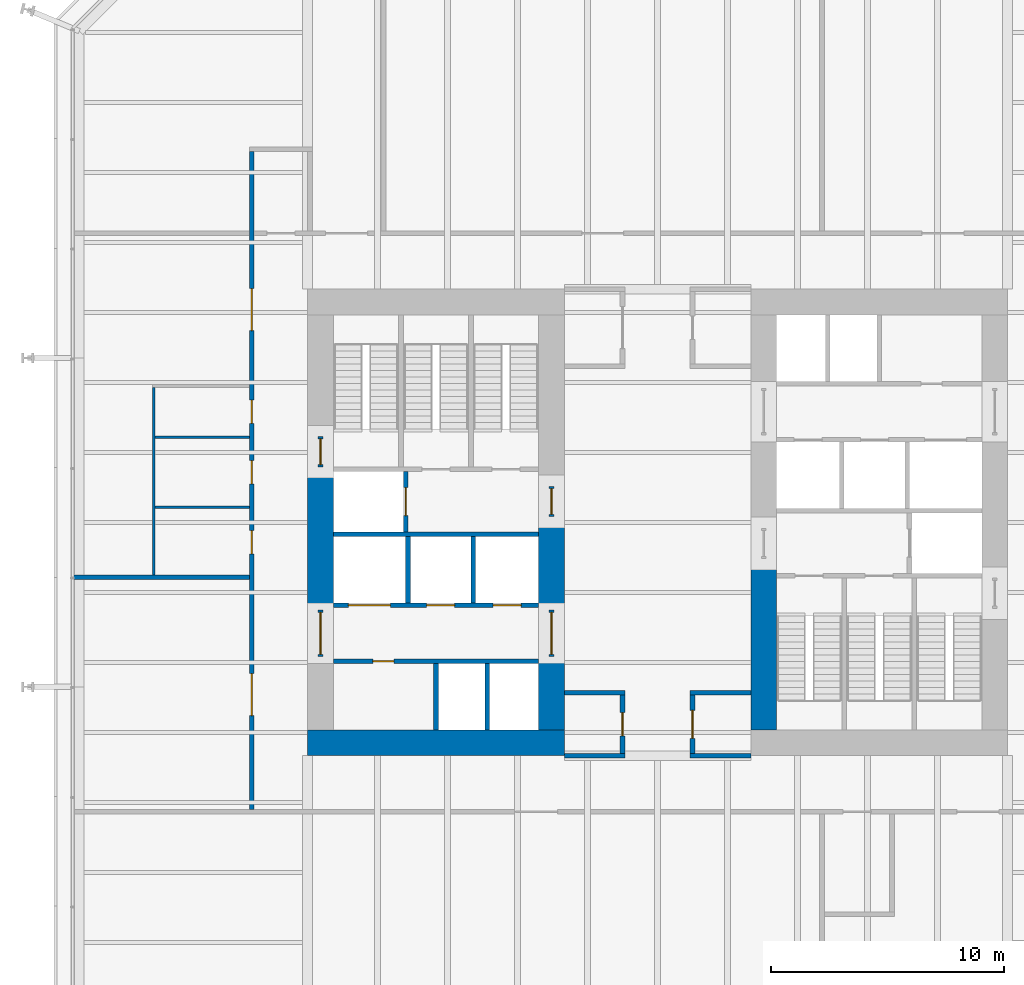
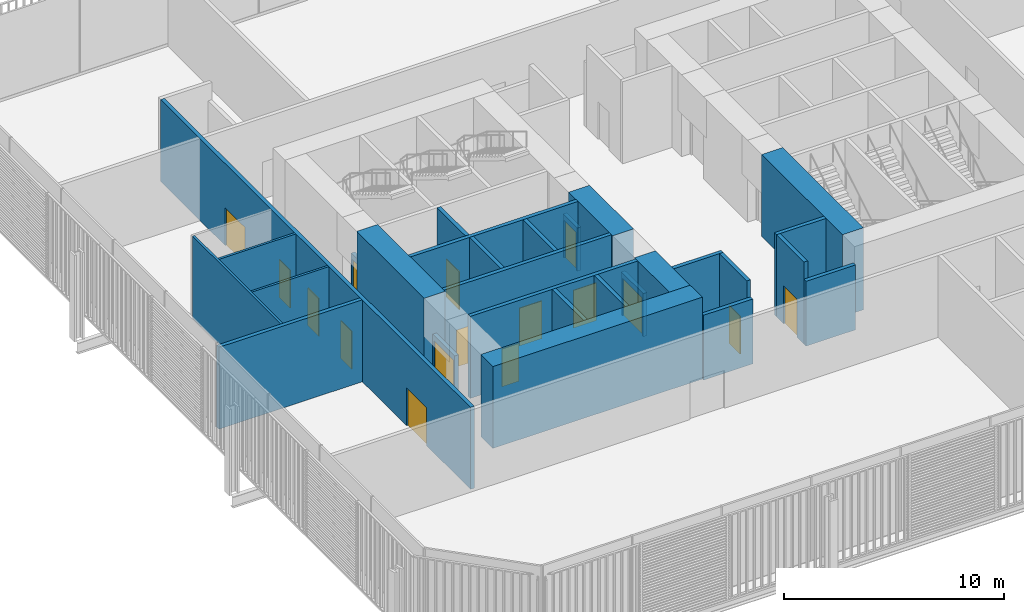
# One storey, part 18 of 22: 28 walls, 16 doors, 16 openings.
"""IFC4 building model written with IfcOpenShell, lengths in metres."""

from ifc_helpers import new_model, si_unit, direction, frame, frame_2d, origin, place, context, subcontext, project, spatial, rectangle, extrude, material, layer, layer_set, type_object, element, fill, save


model = new_model("IFC4")

# Units and contexts
model_context = context("Model", 3, precision=1e-05, world=origin(), true_north=direction((0.0, 1.0)))
body_context = subcontext(model_context, "Body", "Model", "MODEL_VIEW")
ifc_project = project(units=[si_unit("LENGTHUNIT", "METRE"), si_unit("AREAUNIT", "SQUARE_METRE"), si_unit("VOLUMEUNIT", "CUBIC_METRE"), si_unit("PLANEANGLEUNIT", "RADIAN"), si_unit("MASSUNIT", "GRAM", prefix="KILO")], contexts=[model_context])

# Site, building, storey
site_placement = place(None, origin())
site = spatial("IfcSite", under=ifc_project, at=site_placement, CompositionType="ELEMENT")
building_placement = place(site_placement, origin())
building = spatial("IfcBuilding", under=site, at=building_placement, Name="Millrace Tower", CompositionType="ELEMENT")
storey_placement = place(building_placement, frame((0.0, 0.0, 59.300048828125)))
storey = spatial("IfcBuildingStorey", under=building, at=storey_placement, Name="L13", CompositionType="ELEMENT", Elevation=59.300048828125)

# Walls
ifc_material_1 = material(Name="Concrete C80", Category="concrete")
ifc_layer_1 = layer(ifc_material_1, 1.10009765625)
ifc_layer_set_1 = layer_set([ifc_layer_1], Name="Concrete C80")
wall_type_1 = type_object("IfcWallType", Name="Core wall 1100 Concrete C80", PredefinedType="SHEAR", material=ifc_layer_set_1)
wall_1_placement = place(storey_placement, frame((-15.0, -9.449951171875, 0.0), z_axis=(0.0, 0.0, 1.0), x_axis=(1.0, 0.0, 0.0)))
element("IfcWall", 1, at=wall_1_placement, inside=storey, type_object=wall_type_1, Name="Core wall W L13", PredefinedType="SHEAR", context=body_context, shape_type="SweptSolid", body=[
    extrude(rectangle(XDim=11.0, YDim=1.10009765625, at=frame_2d((5.5, 0.0))), origin(), (0.0, 0.0, 1.0), 4.550048828125),
])
wall_2_placement = place(storey_placement, frame((-14.449951171875, -3.75, 0.0), z_axis=(0.0, 0.0, 1.0), x_axis=(0.0, 1.0, 0.0)))
element("IfcWall", 2, at=wall_2_placement, inside=storey, type_object=wall_type_1, Name="Core wall W L13", PredefinedType="SHEAR", context=body_context, shape_type="SweptSolid", body=[
    extrude(rectangle(XDim=6.1298828125, YDim=1.10009765625, at=frame_2d((3.06494140625, 0.0))), origin(), (0.0, 0.0, 1.0), 4.550048828125),
])
wall_3_placement = place(storey_placement, frame((-4.550048828125, -8.89990234375, 0.0), z_axis=(0.0, 0.0, 1.0), x_axis=(0.0, 1.0, 0.0)))
element("IfcWall", 3, at=wall_3_placement, inside=storey, type_object=wall_type_1, Name="Core wall W L13", PredefinedType="SHEAR", context=body_context, shape_type="SweptSolid", body=[
    extrude(rectangle(XDim=3.14990234375, YDim=1.10009765625, at=frame_2d((1.574951171875, 0.0))), origin(), (0.0, 0.0, 1.0), 4.550048828125),
])
wall_4_placement = place(storey_placement, frame((-4.550048828125, -3.75, 0.0), z_axis=(0.0, 0.0, 1.0), x_axis=(0.0, 1.0, 0.0)))
element("IfcWall", 4, at=wall_4_placement, inside=storey, type_object=wall_type_1, Name="Core wall W L13", PredefinedType="SHEAR", context=body_context, shape_type="SweptSolid", body=[
    extrude(rectangle(XDim=4.0, YDim=1.10009765625, at=frame_2d((2.0, 0.0))), origin(), (0.0, 0.0, 1.0), 4.550048828125),
])
wall_5_placement = place(storey_placement, frame((4.550048828125, -1.550048828125, 0.0), z_axis=(0.0, 0.0, 1.0), x_axis=(0.0, -1.0, 0.0)))
element("IfcWall", 5, at=wall_5_placement, inside=storey, type_object=wall_type_1, Name="Core wall E L13", PredefinedType="SHEAR", context=body_context, shape_type="SweptSolid", body=[
    extrude(rectangle(XDim=7.349853515625, YDim=1.10009765625, at=frame_2d((3.6748046875, 0.0))), origin(), (0.0, 0.0, 1.0), 4.550048828125),
])
ifc_material_2 = material(Name="Masonry partition, fire-rated", Category="masonry")
ifc_layer_2 = layer(ifc_material_2, 0.199951171875)
ifc_layer_set_2 = layer_set([ifc_layer_2], Name="Masonry partition, fire-rated")
wall_type_2 = type_object("IfcWallType", Name="Corridor wall 200", PredefinedType="PARTITIONING", material=ifc_layer_set_2)
for number, where, z_axis, x_axis, name in (
    (6, (-4.0, -10.0, 0.0), (0.0, 0.0, 1.0), (1.0, 0.0, 0.0), "Corridor wall L13"),
    (7, (1.39990234375, -10.0, 0.0), (0.0, 0.0, 1.0), (1.0, 0.0, 0.0), "Corridor wall L13"),
):
    element("IfcWall", number, at=place(storey_placement, frame(where, z_axis=z_axis, x_axis=x_axis)), inside=storey, type_object=wall_type_2, Name=name, PredefinedType="PARTITIONING", context=body_context, shape_type="SweptSolid", body=[
        extrude(rectangle(XDim=2.60009765625, YDim=0.199951171875, at=frame_2d((1.300048828125, 0.0))), origin(), (0.0, 0.0, 1.0), 3.6025390625),
    ])
for number, where, z_axis, x_axis, name in (
    (8, (-4.0, -7.300048828125, 0.0), (0.0, 0.0, 1.0), (1.0, 0.0, 0.0), "Corridor wall L13"),
    (9, (1.39990234375, -7.300048828125, 0.0), (0.0, 0.0, 1.0), (1.0, 0.0, 0.0), "Corridor wall L13"),
):
    element("IfcWall", number, at=place(storey_placement, frame(where, z_axis=z_axis, x_axis=x_axis)), inside=storey, type_object=wall_type_2, Name=name, PredefinedType="PARTITIONING", context=body_context, shape_type="SweptSolid", body=[
        extrude(rectangle(XDim=2.60009765625, YDim=0.199951171875, at=frame_2d((1.300048828125, 0.0))), origin(), (0.0, 0.0, 1.0), 4.550048828125),
    ])
wall_6_placement = place(storey_placement, frame((-25.030029296875, -2.35009765625, 0.0), z_axis=(0.0, 0.0, 1.0), x_axis=(1.0, 0.0, 0.0)))
element("IfcWall", 10, at=wall_6_placement, inside=storey, type_object=wall_type_2, Name="Corridor wall L13", PredefinedType="PARTITIONING", context=body_context, shape_type="SweptSolid", body=[
    extrude(rectangle(XDim=7.530029296875, YDim=0.199951171875, at=frame_2d((3.76513671875, 0.0))), origin(), (0.0, 0.0, 1.0), 4.550048828125),
])

# Wall, opening, door
wall_7_placement = place(storey_placement, frame((1.5, -9.89990234375, 0.0), z_axis=(0.0, 0.0, 1.0), x_axis=(0.0, 1.0, 0.0)))
wall_7 = element("IfcWall", 11, at=wall_7_placement, inside=storey, type_object=wall_type_2, Name="Corridor wall L13", PredefinedType="PARTITIONING", context=body_context, shape_type="SweptSolid", body=[
    extrude(rectangle(XDim=2.5, YDim=0.199951171875, at=frame_2d((1.25, 0.0))), origin(), (0.0, 0.0, 1.0), 4.550048828125),
])
opening_1_placement = place(wall_7_placement, frame((0.64990234375, 0.0, 0.0)))
opening_1 = element("IfcOpeningElement", 12, at=opening_1_placement, cuts=wall_7, Name="Opening 13-P004", PredefinedType="OPENING", context=body_context, shape_type="SweptSolid", body=[
    extrude(rectangle(XDim=1.199951171875, YDim=2.10009765625, at=frame_2d((0.60009765625, 1.050048828125))), frame((0.0, 0.10986328125, 0.0), z_axis=(0.0, -1.0, 0.0), x_axis=(1.0, 0.0, 0.0)), (0.0, 0.0, 1.0), 0.219970703125),
])
ifc_material_3 = material(Name="Steel door set, fire-rated", Category="steel")
door_type_1 = type_object("IfcDoorType", Name="Corridor door 1200 x 2100", OperationType="SINGLE_SWING_LEFT", PredefinedType="DOOR", material=ifc_material_3)
door_1_placement = place(opening_1_placement, frame((1.199951171875, 0.0, 0.0), z_axis=(0.0, 0.0, 1.0), x_axis=(-1.0, 0.0, 0.0)))
door_1 = element("IfcDoor", 13, at=door_1_placement, inside=storey, type_object=door_type_1, Name="Door 13-P004", OperationType="SINGLE_SWING_RIGHT", OverallHeight=2.10009765625, OverallWidth=1.199951171875, PredefinedType="DOOR", context=body_context, shape_type="SweptSolid", body=[
    extrude(rectangle(XDim=1.199951171875, YDim=2.10009765625, at=frame_2d((0.60009765625, 1.050048828125))), frame((0.0, 0.02490234375, 0.0), z_axis=(0.0, -1.0, 0.0), x_axis=(1.0, 0.0, 0.0)), (0.0, 0.0, 1.0), 0.050048828125),
])
fill(opening_1, door_1)

wall_8_placement = place(storey_placement, frame((-1.5, -9.89990234375, 0.0), z_axis=(0.0, 0.0, 1.0), x_axis=(0.0, 1.0, 0.0)))
wall_8 = element("IfcWall", 14, at=wall_8_placement, inside=storey, type_object=wall_type_2, Name="Corridor wall L13", PredefinedType="PARTITIONING", context=body_context, shape_type="SweptSolid", body=[
    extrude(rectangle(XDim=2.5, YDim=0.199951171875, at=frame_2d((1.25, 0.0))), origin(), (0.0, 0.0, 1.0), 4.550048828125),
])
opening_2_placement = place(wall_8_placement, frame((0.75, 0.0, 0.0)))
opening_2 = element("IfcOpeningElement", 15, at=opening_2_placement, cuts=wall_8, Name="Opening 13-P003", PredefinedType="OPENING", context=body_context, shape_type="SweptSolid", body=[
    extrude(rectangle(XDim=1.0, YDim=2.10009765625, at=frame_2d((0.5, 1.050048828125))), frame((0.0, 0.10986328125, 0.0), z_axis=(0.0, -1.0, 0.0), x_axis=(1.0, 0.0, 0.0)), (0.0, 0.0, 1.0), 0.219970703125),
])
ifc_material_4 = material(Name="Steel door set, fire-rated", Category="steel")
door_type_2 = type_object("IfcDoorType", Name="Corridor door 1000 x 2100", OperationType="SINGLE_SWING_LEFT", PredefinedType="DOOR", material=ifc_material_4)
door_2_placement = place(opening_2_placement, origin())
door_2 = element("IfcDoor", 16, at=door_2_placement, inside=storey, type_object=door_type_2, Name="Door 13-P003", OperationType="SINGLE_SWING_LEFT", OverallHeight=2.10009765625, OverallWidth=1.0, PredefinedType="DOOR", context=body_context, shape_type="SweptSolid", body=[
    extrude(rectangle(XDim=1.0, YDim=2.10009765625, at=frame_2d((0.5, 1.050048828125))), frame((0.0, 0.02490234375, 0.0), z_axis=(0.0, -1.0, 0.0), x_axis=(1.0, 0.0, 0.0)), (0.0, 0.0, 1.0), 0.050048828125),
])
fill(opening_2, door_2)

# Wall, openings, doors
wall_9_placement = place(storey_placement, frame((-17.39990234375, -12.300048828125, 0.0), z_axis=(0.0, 0.0, 1.0), x_axis=(0.0, 1.0, 0.0)))
wall_9 = element("IfcWall", 17, at=wall_9_placement, inside=storey, type_object=wall_type_2, Name="Corridor wall L13", PredefinedType="PARTITIONING", context=body_context, shape_type="SweptSolid", body=[
    extrude(rectangle(XDim=28.199951171875, YDim=0.199951171875, at=frame_2d((14.10009765625, 0.0))), origin(), (0.0, 0.0, 1.0), 4.550048828125),
])
opening_3_placement = place(wall_9_placement, frame((4.02490234375, 0.0, 0.0)))
opening_3 = element("IfcOpeningElement", 18, at=opening_3_placement, cuts=wall_9, Name="Opening 13-P015", PredefinedType="OPENING", context=body_context, shape_type="SweptSolid", body=[
    extrude(rectangle(XDim=1.800048828125, YDim=2.10009765625, at=frame_2d((0.89990234375, 1.050048828125))), frame((0.0, 0.10986328125, 0.0), z_axis=(0.0, -1.0, 0.0), x_axis=(1.0, 0.0, 0.0)), (0.0, 0.0, 1.0), 0.219970703125),
])
opening_4_placement = place(wall_9_placement, frame((20.52490234375, 0.0, 0.0)))
opening_4 = element("IfcOpeningElement", 19, at=opening_4_placement, cuts=wall_9, Name="Opening 13-P016", PredefinedType="OPENING", context=body_context, shape_type="SweptSolid", body=[
    extrude(rectangle(XDim=1.800048828125, YDim=2.10009765625, at=frame_2d((0.89990234375, 1.050048828125))), frame((0.0, 0.10986328125, 0.0), z_axis=(0.0, -1.0, 0.0), x_axis=(1.0, 0.0, 0.0)), (0.0, 0.0, 1.0), 0.219970703125),
])
opening_5_placement = place(wall_9_placement, frame((10.949951171875, 0.0, 0.0)))
opening_5 = element("IfcOpeningElement", 20, at=opening_5_placement, cuts=wall_9, Name="Opening 13-P017", PredefinedType="OPENING", context=body_context, shape_type="SweptSolid", body=[
    extrude(rectangle(XDim=1.0, YDim=2.10009765625, at=frame_2d((0.5, 1.050048828125))), frame((0.0, 0.10986328125, 0.0), z_axis=(0.0, -1.0, 0.0), x_axis=(1.0, 0.0, 0.0)), (0.0, 0.0, 1.0), 0.219970703125),
])
opening_6_placement = place(wall_9_placement, frame((13.949951171875, 0.0, 0.0)))
opening_6 = element("IfcOpeningElement", 21, at=opening_6_placement, cuts=wall_9, Name="Opening 13-P018", PredefinedType="OPENING", context=body_context, shape_type="SweptSolid", body=[
    extrude(rectangle(XDim=1.0, YDim=2.10009765625, at=frame_2d((0.5, 1.050048828125))), frame((0.0, 0.10986328125, 0.0), z_axis=(0.0, -1.0, 0.0), x_axis=(1.0, 0.0, 0.0)), (0.0, 0.0, 1.0), 0.219970703125),
])
opening_7_placement = place(wall_9_placement, frame((16.550048828125, 0.0, 0.0)))
opening_7 = element("IfcOpeningElement", 22, at=opening_7_placement, cuts=wall_9, Name="Opening 13-P019", PredefinedType="OPENING", context=body_context, shape_type="SweptSolid", body=[
    extrude(rectangle(XDim=1.0, YDim=2.10009765625, at=frame_2d((0.5, 1.050048828125))), frame((0.0, 0.10986328125, 0.0), z_axis=(0.0, -1.0, 0.0), x_axis=(1.0, 0.0, 0.0)), (0.0, 0.0, 1.0), 0.219970703125),
])
door_3_placement = place(opening_5_placement, origin())
door_3 = element("IfcDoor", 23, at=door_3_placement, inside=storey, type_object=door_type_2, Name="Door 13-P017", OperationType="SINGLE_SWING_LEFT", OverallHeight=2.10009765625, OverallWidth=1.0, PredefinedType="DOOR", context=body_context, shape_type="SweptSolid", body=[
    extrude(rectangle(XDim=1.0, YDim=2.10009765625, at=frame_2d((0.5, 1.050048828125))), frame((0.0, 0.02490234375, 0.0), z_axis=(0.0, -1.0, 0.0), x_axis=(1.0, 0.0, 0.0)), (0.0, 0.0, 1.0), 0.050048828125),
])
fill(opening_5, door_3)
door_4_placement = place(opening_6_placement, origin())
door_4 = element("IfcDoor", 24, at=door_4_placement, inside=storey, type_object=door_type_2, Name="Door 13-P018", OperationType="SINGLE_SWING_RIGHT", OverallHeight=2.10009765625, OverallWidth=1.0, PredefinedType="DOOR", context=body_context, shape_type="SweptSolid", body=[
    extrude(rectangle(XDim=1.0, YDim=2.10009765625, at=frame_2d((0.5, 1.050048828125))), frame((0.0, 0.02490234375, 0.0), z_axis=(0.0, -1.0, 0.0), x_axis=(1.0, 0.0, 0.0)), (0.0, 0.0, 1.0), 0.050048828125),
])
fill(opening_6, door_4)
door_5_placement = place(opening_7_placement, origin())
door_5 = element("IfcDoor", 25, at=door_5_placement, inside=storey, type_object=door_type_2, Name="Door 13-P019", OperationType="SINGLE_SWING_RIGHT", OverallHeight=2.10009765625, OverallWidth=1.0, PredefinedType="DOOR", context=body_context, shape_type="SweptSolid", body=[
    extrude(rectangle(XDim=1.0, YDim=2.10009765625, at=frame_2d((0.5, 1.050048828125))), frame((0.0, 0.02490234375, 0.0), z_axis=(0.0, -1.0, 0.0), x_axis=(1.0, 0.0, 0.0)), (0.0, 0.0, 1.0), 0.050048828125),
])
fill(opening_7, door_5)
ifc_material_5 = material(Name="Steel door set, fire-rated", Category="steel")
door_type_3 = type_object("IfcDoorType", Name="Corridor door 1800 x 2100", OperationType="DOUBLE_DOOR_SINGLE_SWING", PredefinedType="DOOR", material=ifc_material_5)
door_6_placement = place(opening_4_placement, origin())
door_6 = element("IfcDoor", 26, at=door_6_placement, inside=storey, type_object=door_type_3, Name="Door 13-P016", OperationType="DOUBLE_DOOR_SINGLE_SWING", OverallHeight=2.10009765625, OverallWidth=1.800048828125, PredefinedType="DOOR", context=body_context, shape_type="SweptSolid", body=[
    extrude(rectangle(XDim=1.800048828125, YDim=2.10009765625, at=frame_2d((0.89990234375, 1.050048828125))), frame((0.0, 0.02490234375, 0.0), z_axis=(0.0, -1.0, 0.0), x_axis=(1.0, 0.0, 0.0)), (0.0, 0.0, 1.0), 0.050048828125),
])
fill(opening_4, door_6)
ifc_material_6 = material(Name="Steel door set, fire-rated", Category="steel")
door_type_4 = type_object("IfcDoorType", Name="Data hall door 1800 x 2100", OperationType="DOUBLE_DOOR_SINGLE_SWING", PredefinedType="DOOR", material=ifc_material_6)
door_7_placement = place(opening_3_placement, origin())
door_7 = element("IfcDoor", 27, at=door_7_placement, inside=storey, type_object=door_type_4, Name="Door 13-P015", OperationType="DOUBLE_DOOR_SINGLE_SWING", OverallHeight=2.10009765625, OverallWidth=1.800048828125, PredefinedType="DOOR", context=body_context, shape_type="SweptSolid", body=[
    extrude(rectangle(XDim=1.800048828125, YDim=2.10009765625, at=frame_2d((0.89990234375, 1.050048828125))), frame((0.0, 0.02490234375, 0.0), z_axis=(0.0, -1.0, 0.0), x_axis=(1.0, 0.0, 0.0)), (0.0, 0.0, 1.0), 0.050048828125),
])
fill(opening_3, door_7)

# Wall, opening, door
ifc_material_7 = material(Name="Masonry partition, fire-rated", Category="masonry")
ifc_layer_3 = layer(ifc_material_7, 0.199951171875)
ifc_layer_set_3 = layer_set([ifc_layer_3], Name="Masonry partition, fire-rated")
wall_type_3 = type_object("IfcWallType", Name="Lift shaft wall 200", PredefinedType="PARTITIONING", material=ifc_layer_set_3)
wall_10_placement = place(storey_placement, frame((-13.89990234375, -5.949951171875, 0.0), z_axis=(0.0, 0.0, 1.0), x_axis=(1.0, 0.0, 0.0)))
wall_10 = element("IfcWall", 28, at=wall_10_placement, inside=storey, type_object=wall_type_3, Name="Lift shaft wall W L13", PredefinedType="PARTITIONING", context=body_context, shape_type="SweptSolid", body=[
    extrude(rectangle(XDim=8.7998046875, YDim=0.199951171875, at=frame_2d((4.39990234375, 0.0))), origin(), (0.0, 0.0, 1.0), 4.550048828125),
])
opening_8_placement = place(wall_10_placement, frame((1.699951171875, 0.0, 0.0)))
opening_8 = element("IfcOpeningElement", 29, at=opening_8_placement, cuts=wall_10, Name="Opening 13-C005", PredefinedType="OPENING", context=body_context, shape_type="SweptSolid", body=[
    extrude(rectangle(XDim=0.89990234375, YDim=2.10009765625, at=frame_2d((0.449951171875, 1.050048828125))), frame((0.0, 0.10986328125, 0.0), z_axis=(0.0, -1.0, 0.0), x_axis=(1.0, 0.0, 0.0)), (0.0, 0.0, 1.0), 0.219970703125),
])
ifc_material_8 = material(Name="Steel door, fire-rated", Category="steel")
door_type_5 = type_object("IfcDoorType", Name="Service room door 900 x 2100", OperationType="SINGLE_SWING_LEFT", PredefinedType="DOOR", material=ifc_material_8)
door_8_placement = place(opening_8_placement, frame((0.89990234375, 0.0, 0.0), z_axis=(0.0, 0.0, 1.0), x_axis=(-1.0, 0.0, 0.0)))
door_8 = element("IfcDoor", 30, at=door_8_placement, inside=storey, type_object=door_type_5, Name="Service room door 13-C005", OperationType="SINGLE_SWING_RIGHT", OverallHeight=2.10009765625, OverallWidth=0.89990234375, PredefinedType="DOOR", context=body_context, shape_type="SweptSolid", body=[
    extrude(rectangle(XDim=0.89990234375, YDim=2.10009765625, at=frame_2d((0.449951171875, 1.050048828125))), frame((0.0, 0.02490234375, 0.0), z_axis=(0.0, -1.0, 0.0), x_axis=(1.0, 0.0, 0.0)), (0.0, 0.0, 1.0), 0.050048828125),
])
fill(opening_8, door_8)

# Wall, openings, doors
wall_11_placement = place(storey_placement, frame((-13.89990234375, -3.550048828125, 0.0), z_axis=(0.0, 0.0, 1.0), x_axis=(1.0, 0.0, 0.0)))
wall_11 = element("IfcWall", 31, at=wall_11_placement, inside=storey, type_object=wall_type_3, Name="Lift shaft wall W L13", PredefinedType="PARTITIONING", context=body_context, shape_type="SweptSolid", body=[
    extrude(rectangle(XDim=8.7998046875, YDim=0.199951171875, at=frame_2d((4.39990234375, 0.0))), origin(), (0.0, 0.0, 1.0), 4.550048828125),
])
opening_9_placement = place(wall_11_placement, frame((0.64990234375, 0.0, 0.0)))
opening_9 = element("IfcOpeningElement", 32, at=opening_9_placement, cuts=wall_11, Name="Opening 13-LD05", PredefinedType="OPENING", context=body_context, shape_type="SweptSolid", body=[
    extrude(rectangle(XDim=1.800048828125, YDim=2.10009765625, at=frame_2d((0.89990234375, 1.050048828125))), frame((0.0, 0.10986328125, 0.0), z_axis=(0.0, -1.0, 0.0), x_axis=(1.0, 0.0, 0.0)), (0.0, 0.0, 1.0), 0.219970703125),
])
opening_10_placement = place(wall_11_placement, frame((4.0, 0.0, 0.0)))
opening_10 = element("IfcOpeningElement", 33, at=opening_10_placement, cuts=wall_11, Name="Opening 13-LD06", PredefinedType="OPENING", context=body_context, shape_type="SweptSolid", body=[
    extrude(rectangle(XDim=1.199951171875, YDim=2.10009765625, at=frame_2d((0.60009765625, 1.050048828125))), frame((0.0, 0.10986328125, 0.0), z_axis=(0.0, -1.0, 0.0), x_axis=(1.0, 0.0, 0.0)), (0.0, 0.0, 1.0), 0.219970703125),
])
opening_11_placement = place(wall_11_placement, frame((6.85009765625, 0.0, 0.0)))
opening_11 = element("IfcOpeningElement", 34, at=opening_11_placement, cuts=wall_11, Name="Opening 13-LD07", PredefinedType="OPENING", context=body_context, shape_type="SweptSolid", body=[
    extrude(rectangle(XDim=1.199951171875, YDim=2.10009765625, at=frame_2d((0.60009765625, 1.050048828125))), frame((0.0, 0.10986328125, 0.0), z_axis=(0.0, -1.0, 0.0), x_axis=(1.0, 0.0, 0.0)), (0.0, 0.0, 1.0), 0.219970703125),
])
ifc_material_9 = material(Name="Stainless steel, fire-rated", Category="steel")
door_type_6 = type_object("IfcDoorType", Name="Lift landing door 1200 x 2100", OperationType="DOUBLE_DOOR_SLIDING", PredefinedType="DOOR", material=ifc_material_9)
door_9_placement = place(opening_10_placement, origin())
door_9 = element("IfcDoor", 35, at=door_9_placement, inside=storey, type_object=door_type_6, Name="Lift landing door LF6 L13", OperationType="DOUBLE_DOOR_SLIDING", OverallHeight=2.10009765625, OverallWidth=1.199951171875, PredefinedType="DOOR", context=body_context, shape_type="SweptSolid", body=[
    extrude(rectangle(XDim=1.199951171875, YDim=2.10009765625, at=frame_2d((0.60009765625, 1.050048828125))), frame((0.0, 0.02490234375, 0.0), z_axis=(0.0, -1.0, 0.0), x_axis=(1.0, 0.0, 0.0)), (0.0, 0.0, 1.0), 0.050048828125),
])
fill(opening_10, door_9)
door_10_placement = place(opening_11_placement, origin())
door_10 = element("IfcDoor", 36, at=door_10_placement, inside=storey, type_object=door_type_6, Name="Lift landing door LF7 L13", OperationType="DOUBLE_DOOR_SLIDING", OverallHeight=2.10009765625, OverallWidth=1.199951171875, PredefinedType="DOOR", context=body_context, shape_type="SweptSolid", body=[
    extrude(rectangle(XDim=1.199951171875, YDim=2.10009765625, at=frame_2d((0.60009765625, 1.050048828125))), frame((0.0, 0.02490234375, 0.0), z_axis=(0.0, -1.0, 0.0), x_axis=(1.0, 0.0, 0.0)), (0.0, 0.0, 1.0), 0.050048828125),
])
fill(opening_11, door_10)
ifc_material_10 = material(Name="Stainless steel, fire-rated", Category="steel")
door_type_7 = type_object("IfcDoorType", Name="Lift landing door 1800 x 2100", OperationType="DOUBLE_DOOR_SLIDING", PredefinedType="DOOR", material=ifc_material_10)
door_11_placement = place(opening_9_placement, origin())
door_11 = element("IfcDoor", 37, at=door_11_placement, inside=storey, type_object=door_type_7, Name="Lift landing door LF5 L13", OperationType="DOUBLE_DOOR_SLIDING", OverallHeight=2.10009765625, OverallWidth=1.800048828125, PredefinedType="DOOR", context=body_context, shape_type="SweptSolid", body=[
    extrude(rectangle(XDim=1.800048828125, YDim=2.10009765625, at=frame_2d((0.89990234375, 1.050048828125))), frame((0.0, 0.02490234375, 0.0), z_axis=(0.0, -1.0, 0.0), x_axis=(1.0, 0.0, 0.0)), (0.0, 0.0, 1.0), 0.050048828125),
])
fill(opening_9, door_11)

# Wall
wall_12_placement = place(storey_placement, frame((-13.89990234375, -0.5, 0.0), z_axis=(0.0, 0.0, 1.0), x_axis=(1.0, 0.0, 0.0)))
element("IfcWall", 38, at=wall_12_placement, inside=storey, type_object=wall_type_3, Name="Lift shaft wall W L13", PredefinedType="PARTITIONING", context=body_context, shape_type="SweptSolid", body=[
    extrude(rectangle(XDim=8.7998046875, YDim=0.199951171875, at=frame_2d((4.39990234375, 0.0))), origin(), (0.0, 0.0, 1.0), 4.550048828125),
])

# Wall, opening, door
wall_13_placement = place(storey_placement, frame((-10.800048828125, -0.39990234375, 0.0), z_axis=(0.0, 0.0, 1.0), x_axis=(0.0, 1.0, 0.0)))
wall_13 = element("IfcWall", 39, at=wall_13_placement, inside=storey, type_object=wall_type_3, Name="Lift shaft wall W L13", PredefinedType="PARTITIONING", context=body_context, shape_type="SweptSolid", body=[
    extrude(rectangle(XDim=2.579833984375, YDim=0.199951171875, at=frame_2d((1.2900390625, 0.0))), origin(), (0.0, 0.0, 1.0), 4.550048828125),
])
opening_12_placement = place(wall_13_placement, frame((0.68994140625, 0.0, 0.0)))
opening_12 = element("IfcOpeningElement", 40, at=opening_12_placement, cuts=wall_13, Name="Opening 13-LD08", PredefinedType="OPENING", context=body_context, shape_type="SweptSolid", body=[
    extrude(rectangle(XDim=1.199951171875, YDim=2.10009765625, at=frame_2d((0.60009765625, 1.050048828125))), frame((0.0, 0.10986328125, 0.0), z_axis=(0.0, -1.0, 0.0), x_axis=(1.0, 0.0, 0.0)), (0.0, 0.0, 1.0), 0.219970703125),
])
door_12_placement = place(opening_12_placement, origin())
door_12 = element("IfcDoor", 41, at=door_12_placement, inside=storey, type_object=door_type_6, Name="Lift landing door LF8 L13", OperationType="DOUBLE_DOOR_SLIDING", OverallHeight=2.10009765625, OverallWidth=1.199951171875, PredefinedType="DOOR", context=body_context, shape_type="SweptSolid", body=[
    extrude(rectangle(XDim=1.199951171875, YDim=2.10009765625, at=frame_2d((0.60009765625, 1.050048828125))), frame((0.0, 0.02490234375, 0.0), z_axis=(0.0, -1.0, 0.0), x_axis=(1.0, 0.0, 0.0)), (0.0, 0.0, 1.0), 0.050048828125),
])
fill(opening_12, door_12)

# Walls
for number, where, z_axis, x_axis, name in (
    (42, (-9.5, -8.89990234375, 0.0), (0.0, 0.0, 1.0), (0.0, 1.0, 0.0), "Lift shaft wall W L13"),
    (43, (-7.300048828125, -8.89990234375, 0.0), (0.0, 0.0, 1.0), (0.0, 1.0, 0.0), "Lift shaft wall W L13"),
    (44, (-10.699951171875, -3.449951171875, 0.0), (0.0, 0.0, 1.0), (0.0, 1.0, 0.0), "Lift shaft wall W L13"),
    (45, (-7.89990234375, -3.449951171875, 0.0), (0.0, 0.0, 1.0), (0.0, 1.0, 0.0), "Lift shaft wall W L13"),
):
    element("IfcWall", number, at=place(storey_placement, frame(where, z_axis=z_axis, x_axis=x_axis)), inside=storey, type_object=wall_type_3, Name=name, PredefinedType="PARTITIONING", context=body_context, shape_type="SweptSolid", body=[
        extrude(rectangle(XDim=2.849853515625, YDim=0.199951171875, at=frame_2d((1.4248046875, 0.0))), origin(), (0.0, 0.0, 1.0), 4.550048828125),
    ])

# Wall, opening, door
ifc_material_11 = material(Name="Masonry partition, fire-rated", Category="masonry")
ifc_layer_4 = layer(ifc_material_11, 0.199951171875)
ifc_layer_set_4 = layer_set([ifc_layer_4], Name="Masonry partition, fire-rated")
wall_type_4 = type_object("IfcWallType", Name="Lobby wall 200", PredefinedType="PARTITIONING", material=ifc_layer_set_4)
wall_14_placement = place(storey_placement, frame((-14.449951171875, -5.75, 0.0), z_axis=(0.0, 0.0, 1.0), x_axis=(0.0, 1.0, 0.0)))
wall_14 = element("IfcWall", 46, at=wall_14_placement, inside=storey, type_object=wall_type_4, Name="Lobby wall W L13", PredefinedType="PARTITIONING", context=body_context, shape_type="SweptSolid", body=[
    extrude(rectangle(XDim=2.0, YDim=0.199951171875, at=frame_2d((1.0, 0.0))), origin(), (0.0, 0.0, 1.0), 2.39990234375),
])
opening_13_placement = place(wall_14_placement, frame((0.10009765625, 0.0, 0.0)))
opening_13 = element("IfcOpeningElement", 47, at=opening_13_placement, cuts=wall_14, Name="Opening 13-C001", PredefinedType="OPENING", context=body_context, shape_type="SweptSolid", body=[
    extrude(rectangle(XDim=1.800048828125, YDim=2.10009765625, at=frame_2d((0.89990234375, 1.050048828125))), frame((0.0, 0.10986328125, 0.0), z_axis=(0.0, -1.0, 0.0), x_axis=(1.0, 0.0, 0.0)), (0.0, 0.0, 1.0), 0.219970703125),
])
ifc_material_12 = material(Name="Steel door, fire-rated", Category="steel")
door_type_8 = type_object("IfcDoorType", Name="Lobby door 1800 x 2100", OperationType="DOUBLE_DOOR_SINGLE_SWING", PredefinedType="DOOR", material=ifc_material_12)
door_13_placement = place(opening_13_placement, origin())
door_13 = element("IfcDoor", 48, at=door_13_placement, inside=storey, type_object=door_type_8, Name="Lobby door 13-C001", OperationType="DOUBLE_DOOR_SINGLE_SWING", OverallHeight=2.10009765625, OverallWidth=1.800048828125, PredefinedType="DOOR", context=body_context, shape_type="SweptSolid", body=[
    extrude(rectangle(XDim=1.800048828125, YDim=2.10009765625, at=frame_2d((0.89990234375, 1.050048828125))), frame((0.0, 0.02490234375, 0.0), z_axis=(0.0, -1.0, 0.0), x_axis=(1.0, 0.0, 0.0)), (0.0, 0.0, 1.0), 0.050048828125),
])
fill(opening_13, door_13)

wall_15_placement = place(storey_placement, frame((-4.550048828125, -5.75, 0.0), z_axis=(0.0, 0.0, 1.0), x_axis=(0.0, 1.0, 0.0)))
wall_15 = element("IfcWall", 49, at=wall_15_placement, inside=storey, type_object=wall_type_4, Name="Lobby wall W L13", PredefinedType="PARTITIONING", context=body_context, shape_type="SweptSolid", body=[
    extrude(rectangle(XDim=2.0, YDim=0.199951171875, at=frame_2d((1.0, 0.0))), origin(), (0.0, 0.0, 1.0), 2.39990234375),
])
opening_14_placement = place(wall_15_placement, frame((0.10009765625, 0.0, 0.0)))
opening_14 = element("IfcOpeningElement", 50, at=opening_14_placement, cuts=wall_15, Name="Opening 13-C003", PredefinedType="OPENING", context=body_context, shape_type="SweptSolid", body=[
    extrude(rectangle(XDim=1.800048828125, YDim=2.10009765625, at=frame_2d((0.89990234375, 1.050048828125))), frame((0.0, 0.10986328125, 0.0), z_axis=(0.0, -1.0, 0.0), x_axis=(1.0, 0.0, 0.0)), (0.0, 0.0, 1.0), 0.219970703125),
])
door_14_placement = place(opening_14_placement, origin())
door_14 = element("IfcDoor", 51, at=door_14_placement, inside=storey, type_object=door_type_8, Name="Lobby door 13-C003", OperationType="DOUBLE_DOOR_SINGLE_SWING", OverallHeight=2.10009765625, OverallWidth=1.800048828125, PredefinedType="DOOR", context=body_context, shape_type="SweptSolid", body=[
    extrude(rectangle(XDim=1.800048828125, YDim=2.10009765625, at=frame_2d((0.89990234375, 1.050048828125))), frame((0.0, 0.02490234375, 0.0), z_axis=(0.0, -1.0, 0.0), x_axis=(1.0, 0.0, 0.0)), (0.0, 0.0, 1.0), 0.050048828125),
])
fill(opening_14, door_14)

wall_16_placement = place(storey_placement, frame((-4.550048828125, 0.25, 0.0), z_axis=(0.0, 0.0, 1.0), x_axis=(0.0, 1.0, 0.0)))
wall_16 = element("IfcWall", 52, at=wall_16_placement, inside=storey, type_object=wall_type_4, Name="Lobby wall W L13", PredefinedType="PARTITIONING", context=body_context, shape_type="SweptSolid", body=[
    extrude(rectangle(XDim=1.300048828125, YDim=0.199951171875, at=frame_2d((0.64990234375, 0.0))), origin(), (0.0, 0.0, 1.0), 2.39990234375),
])
opening_15_placement = place(wall_16_placement, frame((0.10009765625, 0.0, 0.0)))
opening_15 = element("IfcOpeningElement", 53, at=opening_15_placement, cuts=wall_16, Name="Opening 13-C004", PredefinedType="OPENING", context=body_context, shape_type="SweptSolid", body=[
    extrude(rectangle(XDim=1.10009765625, YDim=2.10009765625, at=frame_2d((0.550048828125, 1.050048828125))), frame((0.0, 0.10986328125, 0.0), z_axis=(0.0, -1.0, 0.0), x_axis=(1.0, 0.0, 0.0)), (0.0, 0.0, 1.0), 0.219970703125),
])
ifc_material_13 = material(Name="Steel door, fire-rated", Category="steel")
door_type_9 = type_object("IfcDoorType", Name="Lobby door 1100 x 2100", OperationType="SINGLE_SWING_LEFT", PredefinedType="DOOR", material=ifc_material_13)
door_15_placement = place(opening_15_placement, origin())
door_15 = element("IfcDoor", 54, at=door_15_placement, inside=storey, type_object=door_type_9, Name="Lobby door 13-C004", OperationType="SINGLE_SWING_LEFT", OverallHeight=2.10009765625, OverallWidth=1.10009765625, PredefinedType="DOOR", context=body_context, shape_type="SweptSolid", body=[
    extrude(rectangle(XDim=1.10009765625, YDim=2.10009765625, at=frame_2d((0.550048828125, 1.050048828125))), frame((0.0, 0.02490234375, 0.0), z_axis=(0.0, -1.0, 0.0), x_axis=(1.0, 0.0, 0.0)), (0.0, 0.0, 1.0), 0.050048828125),
])
fill(opening_15, door_15)

# Walls
ifc_material_14 = material(Name="Gypsum board partition")
ifc_layer_5 = layer(ifc_material_14, 0.1201171875)
ifc_layer_set_5 = layer_set([ifc_layer_5], Name="Gypsum board partition")
wall_type_5 = type_object("IfcWallType", Name="Partition wall 120", PredefinedType="PARTITIONING", material=ifc_layer_set_5)
for number, where, z_axis, x_axis, name in (
    (55, (-21.5400390625, 0.64990234375, 0.0), (0.0, 0.0, 1.0), (1.0, 0.0, 0.0), "Partition wall L13"),
    (56, (-21.5400390625, 3.64990234375, 0.0), (0.0, 0.0, 1.0), (1.0, 0.0, 0.0), "Partition wall L13"),
):
    element("IfcWall", number, at=place(storey_placement, frame(where, z_axis=z_axis, x_axis=x_axis)), inside=storey, type_object=wall_type_5, Name=name, PredefinedType="PARTITIONING", context=body_context, shape_type="SweptSolid", body=[
        extrude(rectangle(XDim=4.0400390625, YDim=0.1201171875, at=frame_2d((2.02001953125, 0.0))), origin(), (0.0, 0.0, 1.0), 4.550048828125),
    ])
wall_17_placement = place(storey_placement, frame((-21.60009765625, -2.25, 0.0), z_axis=(0.0, 0.0, 1.0), x_axis=(0.0, 1.0, 0.0)))
element("IfcWall", 57, at=wall_17_placement, inside=storey, type_object=wall_type_5, Name="Partition wall L13", PredefinedType="PARTITIONING", context=body_context, shape_type="SweptSolid", body=[
    extrude(rectangle(XDim=8.0400390625, YDim=0.1201171875, at=frame_2d((4.02001953125, 0.0))), origin(), (0.0, 0.0, 1.0), 4.550048828125),
])

# Wall, opening, door
ifc_material_15 = material(Name="Concrete C40", Category="concrete")
ifc_layer_6 = layer(ifc_material_15, 0.199951171875)
ifc_layer_set_6 = layer_set([ifc_layer_6], Name="Concrete C40")
wall_type_6 = type_object("IfcWallType", Name="Stair enclosure wall 200 Concrete C40", PredefinedType="SHEAR", material=ifc_layer_set_6)
wall_18_placement = place(storey_placement, frame((-14.449951171875, 2.3798828125, 0.0), z_axis=(0.0, 0.0, 1.0), x_axis=(0.0, 1.0, 0.0)))
wall_18 = element("IfcWall", 58, at=wall_18_placement, inside=storey, type_object=wall_type_6, Name="Stair enclosure wall W L13", PredefinedType="SHEAR", context=body_context, shape_type="SweptSolid", body=[
    extrude(rectangle(XDim=1.300048828125, YDim=0.199951171875, at=frame_2d((0.64990234375, 0.0))), origin(), (0.0, 0.0, 1.0), 2.39990234375),
])
opening_16_placement = place(wall_18_placement, frame((0.10009765625, 0.0, 0.0)))
opening_16 = element("IfcOpeningElement", 59, at=opening_16_placement, cuts=wall_18, Name="Opening 13-C002", PredefinedType="OPENING", context=body_context, shape_type="SweptSolid", body=[
    extrude(rectangle(XDim=1.10009765625, YDim=2.10009765625, at=frame_2d((0.550048828125, 1.050048828125))), frame((0.0, 0.10986328125, 0.0), z_axis=(0.0, -1.0, 0.0), x_axis=(1.0, 0.0, 0.0)), (0.0, 0.0, 1.0), 0.219970703125),
])
ifc_material_16 = material(Name="Steel door, fire-rated", Category="steel")
door_type_10 = type_object("IfcDoorType", Name="Stair door 1100 x 2100", OperationType="SINGLE_SWING_LEFT", PredefinedType="DOOR", material=ifc_material_16)
door_16_placement = place(opening_16_placement, origin())
door_16 = element("IfcDoor", 60, at=door_16_placement, inside=storey, type_object=door_type_10, Name="Stair door 13-C002", OperationType="SINGLE_SWING_RIGHT", OverallHeight=2.10009765625, OverallWidth=1.10009765625, PredefinedType="DOOR", context=body_context, shape_type="SweptSolid", body=[
    extrude(rectangle(XDim=1.10009765625, YDim=2.10009765625, at=frame_2d((0.550048828125, 1.050048828125))), frame((0.0, 0.02490234375, 0.0), z_axis=(0.0, -1.0, 0.0), x_axis=(1.0, 0.0, 0.0)), (0.0, 0.0, 1.0), 0.050048828125),
])
fill(opening_16, door_16)

save(model, "model.ifc")
